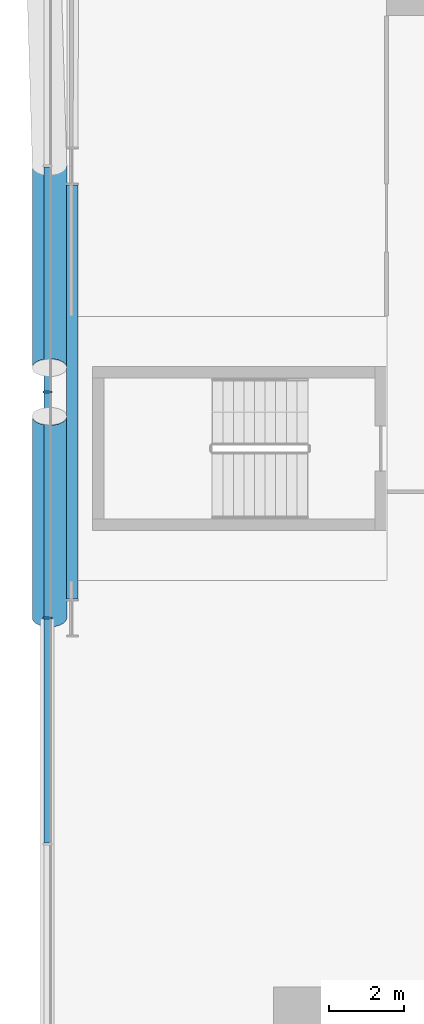
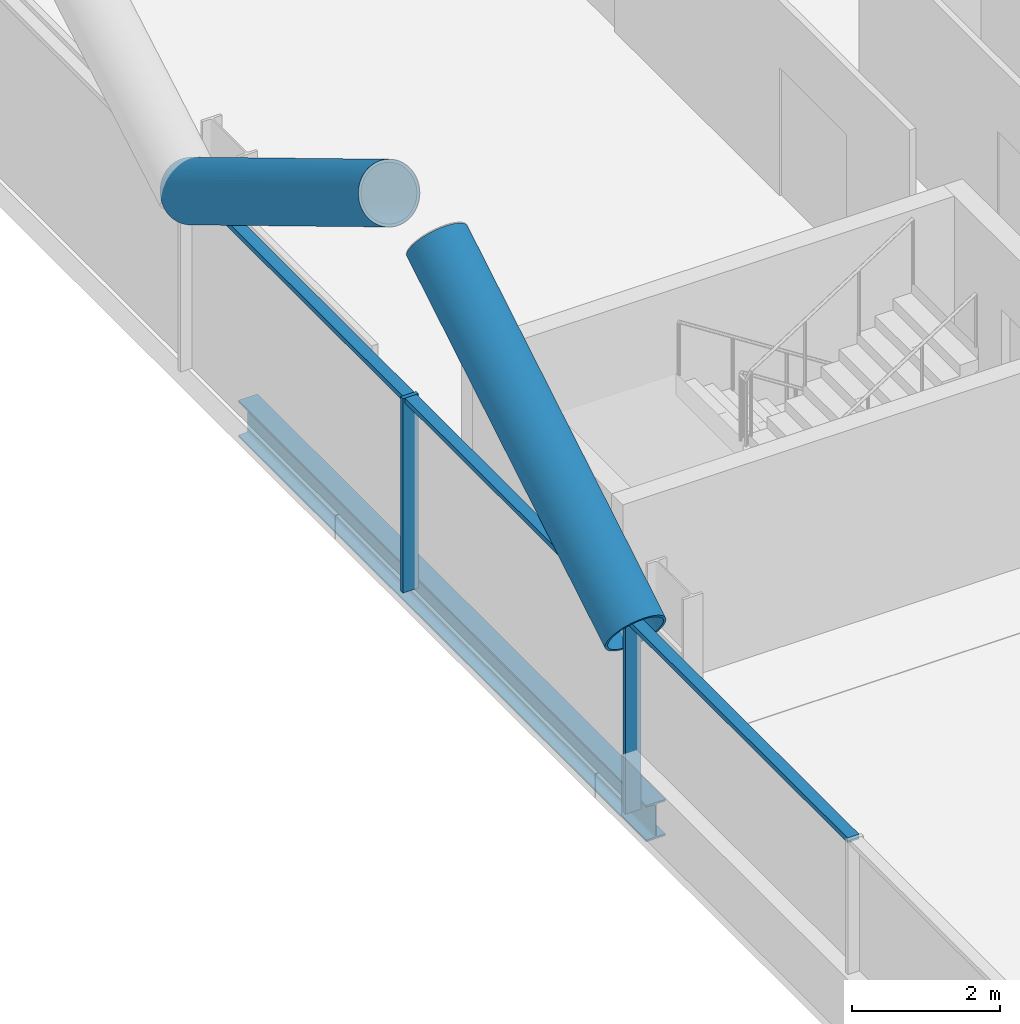
# One storey, part 5 of 24: 7 members, 1 beam, 1 element without a shape of its own.
"""IFC4 building model written with IfcOpenShell, lengths in metres."""

from ifc_helpers import new_model, si_unit, direction, frame, origin, origin_2d, place, context, subcontext, project, spatial, rectangle, hollow_circle, i_section, extrude, material, material_profile, profile_set, type_object, element, aggregate, save


model = new_model("IFC4")

# Units and contexts
model_context = context("Model", 3, precision=1e-05, world=origin(), true_north=direction((0.0, 1.0)))
body_context = subcontext(model_context, "Body", "Model", "MODEL_VIEW")
ifc_project = project(units=[si_unit("LENGTHUNIT", "METRE"), si_unit("AREAUNIT", "SQUARE_METRE"), si_unit("VOLUMEUNIT", "CUBIC_METRE"), si_unit("PLANEANGLEUNIT", "RADIAN"), si_unit("MASSUNIT", "GRAM", prefix="KILO")], contexts=[model_context])

# Site, building, storey
site_placement = place(None, origin())
site = spatial("IfcSite", under=ifc_project, at=site_placement, CompositionType="ELEMENT")
building_placement = place(site_placement, origin())
building = spatial("IfcBuilding", under=site, at=building_placement, Name="Wharfspan Tower", CompositionType="ELEMENT")
storey_placement = place(building_placement, frame((0.0, 0.0, 66.699951)))
storey = spatial("IfcBuildingStorey", under=building, at=storey_placement, Name="L13", CompositionType="ELEMENT", Elevation=66.699951)

# Beam
ifc_material_1 = material(Name="Steel S355J2", Category="steel")
ifc_material_profile_1 = material_profile(ifc_material_1, i_section(OverallWidth=0.300049, OverallDepth=0.600098, WebThickness=0.015381, FlangeThickness=0.030029, FilletRadius=0.0271, at=origin_2d()))
ifc_profile_set_1 = profile_set([ifc_material_profile_1], Name="Steel S355J2")
beam_type = type_object("IfcBeamType", Name="Edge beam HEB 600", PredefinedType="SPANDREL", material=ifc_profile_set_1)
beam_placement = place(storey_placement, frame((0.659912, 29.5, -0.699951), z_axis=(0.0, -1.0, 0.0), x_axis=(1.0, 0.0, 0.0)))
element("IfcBeam", 1, at=beam_placement, inside=storey, type_object=beam_type, Name="Edge beam W L13 PW.1 to PW.2", PredefinedType="SPANDREL", context=body_context, shape_type="SweptSolid", body=[
    extrude(i_section(OverallWidth=0.300049, OverallDepth=0.600098, WebThickness=0.015381, FlangeThickness=0.030029, FilletRadius=0.0271, at=origin_2d()), origin(), (0.0, 0.0, 1.0), 11.0),
])

# Curtain wall, members
ifc_material_2 = material(Name="Aluminium 6063-T6", Category="aluminium")
curtain_wall_type = type_object("IfcCurtainWallType", Name="CURTAIN WALL PROW AND END", PredefinedType="NOTDEFINED", material=ifc_material_2)
curtain_wall_placement = place(storey_placement, origin())
curtain_wall = element("IfcCurtainWall", 2, at=curtain_wall_placement, inside=storey, type_object=curtain_wall_type, Name="Curtain wall W", PredefinedType="NOTDEFINED")
ifc_material_profile_2 = material_profile(ifc_material_2, rectangle(XDim=0.23999, YDim=0.060059, at=origin_2d()))
ifc_profile_set_2 = profile_set([ifc_material_profile_2], Name="Aluminium 6063-T6")
member_type_1 = type_object("IfcMemberType", Name="MULLION PROW AND END 60x240", PredefinedType="MULLION", material=ifc_profile_set_2)
member_1_placement = place(storey_placement, frame((0.0, 24.0, 0.0), z_axis=(0.0, 0.0, 1.0), x_axis=(1.0, 0.0, 0.0)))
member_1 = element("IfcMember", 3, at=member_1_placement, type_object=member_type_1, Name="Curtain wall W mullion 4", PredefinedType="MULLION", context=body_context, shape_type="SweptSolid", body=[
    extrude(rectangle(XDim=0.23999, YDim=0.060059, at=origin_2d()), origin(), (0.0, 0.0, 1.0), 3.199951),
])
member_2_placement = place(storey_placement, frame((0.0, 18.0, 0.0), z_axis=(0.0, 0.0, 1.0), x_axis=(1.0, 0.0, 0.0)))
member_2 = element("IfcMember", 4, at=member_2_placement, type_object=member_type_1, Name="Curtain wall W mullion 5", PredefinedType="MULLION", context=body_context, shape_type="SweptSolid", body=[
    extrude(rectangle(XDim=0.23999, YDim=0.060059, at=origin_2d()), origin(), (0.0, 0.0, 1.0), 3.199951),
])

# Members
ifc_material_3 = material(Name="Steel S460NH", Category="steel")
ifc_material_profile_3 = material_profile(ifc_material_3, hollow_circle(Radius=0.457031, WallThickness=0.040039, at=origin_2d()))
ifc_profile_set_3 = profile_set([ifc_material_profile_3], Name="Steel S460NH")
member_type_2 = type_object("IfcMemberType", Name="Mega brace CHS 914x40", PredefinedType="BRACE", material=ifc_profile_set_3)
for number, where, z_axis, x_axis, name in (
    (5, (0.054932, 30.0, 2.900146), (0.0, -0.8575, 0.514484), (1.0, 0.0, 0.0), "Mega brace W3 L14 part 1"),
    (6, (0.054932, 18.0, 2.900146), (0.0, 0.8575, 0.514484), (-1.0, 0.0, 0.0), "Mega brace W3 L14 part 3"),
):
    element("IfcMember", number, at=place(storey_placement, frame(where, z_axis=z_axis, x_axis=x_axis)), inside=storey, type_object=member_type_2, Name=name, PredefinedType="BRACE", context=body_context, shape_type="SweptSolid", body=[
        extrude(hollow_circle(Radius=0.457031, WallThickness=0.040039, at=origin_2d()), origin(), (0.0, 0.0, 1.0), 6.239258),
    ])

# Member
ifc_material_profile_4 = material_profile(ifc_material_2, rectangle(XDim=0.179932, YDim=0.080078, at=origin_2d()))
ifc_profile_set_4 = profile_set([ifc_material_profile_4], Name="Aluminium 6063-T6")
member_type_3 = type_object("IfcMemberType", Name="TRANSOM PROW AND END 80x180", PredefinedType="USERDEFINED", material=ifc_profile_set_4)
member_3_placement = place(storey_placement, frame((0.0, 29.969971, 3.160156), z_axis=(0.0, -1.0, 0.0), x_axis=(1.0, 0.0, 0.0)))
member_3 = element("IfcMember", 7, at=member_3_placement, type_object=member_type_3, Name="Curtain wall W transom 3", ObjectType="TRANSOM", PredefinedType="USERDEFINED", context=body_context, shape_type="SweptSolid", body=[
    extrude(rectangle(XDim=0.179932, YDim=0.080078, at=origin_2d()), origin(), (0.0, 0.0, 1.0), 5.939941),
])

member_4_placement = place(storey_placement, frame((0.0, 23.969971, 3.160156), z_axis=(0.0, -1.0, 0.0), x_axis=(1.0, 0.0, 0.0)))
member_4 = element("IfcMember", 8, at=member_4_placement, type_object=member_type_3, Name="Curtain wall W transom 4", ObjectType="TRANSOM", PredefinedType="USERDEFINED", context=body_context, shape_type="SweptSolid", body=[
    extrude(rectangle(XDim=0.179932, YDim=0.080078, at=origin_2d()), origin(), (0.0, 0.0, 1.0), 5.939941),
])

member_5_placement = place(storey_placement, frame((0.0, 17.969971, 3.160156), z_axis=(0.0, -1.0, 0.0), x_axis=(1.0, 0.0, 0.0)))
member_5 = element("IfcMember", 9, at=member_5_placement, type_object=member_type_3, Name="Curtain wall W transom 5", ObjectType="TRANSOM", PredefinedType="USERDEFINED", context=body_context, shape_type="SweptSolid", body=[
    extrude(rectangle(XDim=0.179932, YDim=0.080078, at=origin_2d()), origin(), (0.0, 0.0, 1.0), 5.939941),
])

aggregate(curtain_wall, [member_1, member_2, member_3, member_4, member_5])

save(model, "model.ifc")
